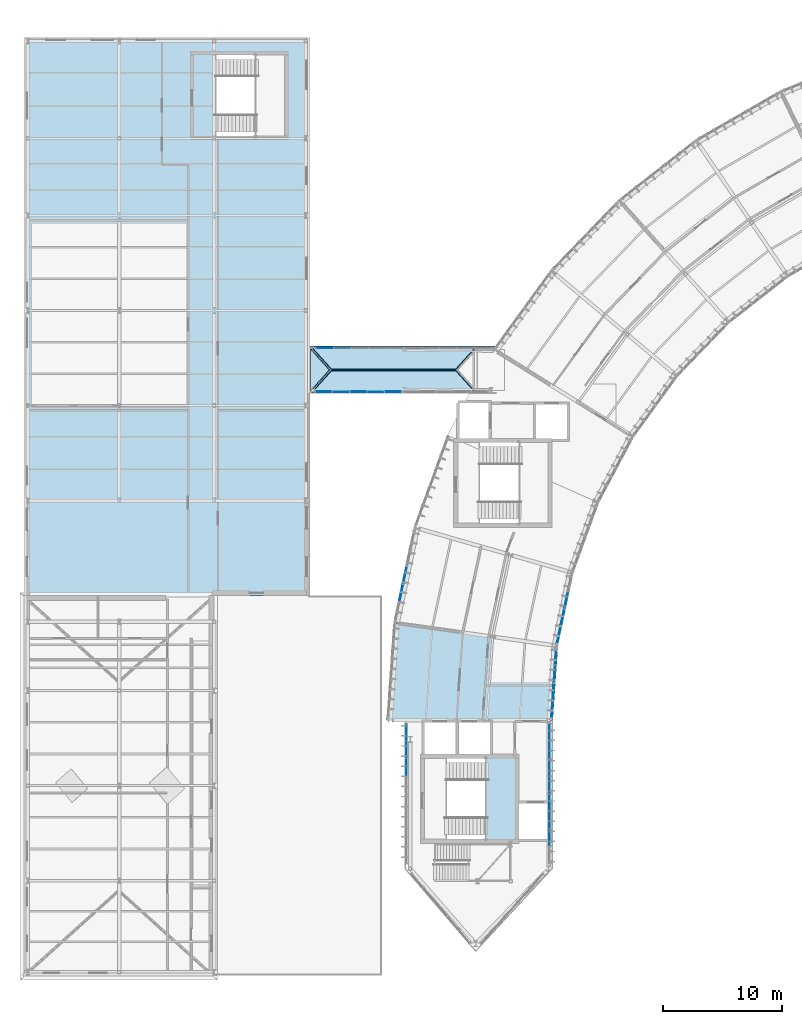
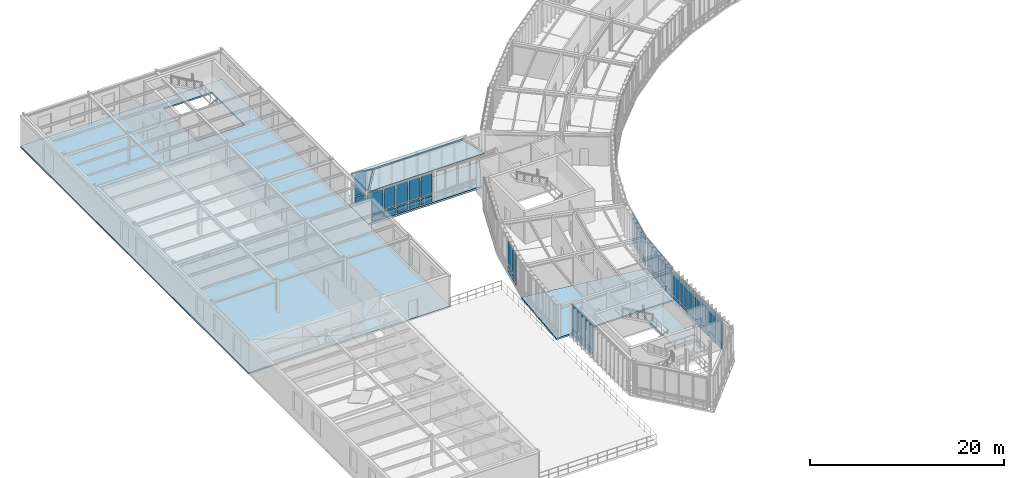
# One storey, part 24 of 52: 51 plates, 7 slabs, 8 elements without a shape of their own.
"""IFC4 building model written with IfcOpenShell, lengths in metres."""

import ifcopenshell
import ifcopenshell.guid

model = None  # the IFC model being written
_history = None  # IfcOwnerHistory: only IFC2X3 demands one
_inside = {}  # id of a spatial element -> (the spatial element, [elements in it])
_under = {}  # id of a project, library or spatial element -> (it, [spatial elements below it])
_declared = {}  # id of a project -> (the project, [libraries it declares])
_typed = {}  # id of a type object -> (the type object, [elements of that type])
_made_of = {}  # id of a material, layer set ... -> (it, [elements and type objects made of it])


def new_model(schema):
    """Start an empty IFC model of exactly this schema.

    Asked for "IFC4X3", IfcOpenShell would pick the latest addendum, in which some entities
    have other attributes; the version numbers below select the first issue.
    IFC2X3 requires an IfcOwnerHistory on every rooted entity: one is made here for all.
    """
    global model, _history
    if schema == "IFC4X3":
        model = ifcopenshell.file(schema_version=(4, 3, 0, 0))
    else:
        model = ifcopenshell.file(schema=schema)
    _inside.clear()
    _under.clear()
    _declared.clear()
    _typed.clear()
    _made_of.clear()
    _history = None
    if model.schema == "IFC2X3":
        org = make("IfcOrganization", Name="unknown")
        user = make(
            "IfcPersonAndOrganization",
            ThePerson=make("IfcPerson", FamilyName="unknown"),
            TheOrganization=org,
        )
        app = make(
            "IfcApplication",
            ApplicationDeveloper=org,
            Version="unknown",
            ApplicationFullName="unknown",
            ApplicationIdentifier="unknown",
        )
        _history = make(
            "IfcOwnerHistory",
            OwningUser=user,
            OwningApplication=app,
            ChangeAction="ADDED",
            CreationDate=0,
        )
    return model


def make(cls, **values):
    """One entity of the class cls with the attributes given. An attribute that is None is left unset."""
    return model.create_entity(
        cls, **{name: value for name, value in values.items() if value is not None}
    )


def rooted(cls, **values):
    """An entity with a GlobalId (a new one), such as an element, a storey or a relation."""
    return make(cls, GlobalId=ifcopenshell.guid.new(), OwnerHistory=_history, **values)


def si_unit(unit_type, name, prefix=None):
    """IfcSIUnit, for example si_unit("LENGTHUNIT", "METRE", prefix="MILLI")."""
    return make("IfcSIUnit", UnitType=unit_type, Prefix=prefix, Name=name)


def assignment(units):
    """IfcUnitAssignment: the units of a project."""
    return None if units is None else make("IfcUnitAssignment", Units=units)


def point(xyz):
    """IfcCartesianPoint."""
    return None if xyz is None else make("IfcCartesianPoint", Coordinates=xyz)


def direction(xyz):
    """IfcDirection."""
    return None if xyz is None else make("IfcDirection", DirectionRatios=xyz)


def frame(location, z_axis=None, x_axis=None):
    """IfcAxis2Placement3D, a coordinate frame: its origin and axes. An axis left out is left unset."""
    return make(
        "IfcAxis2Placement3D",
        Location=point(location),
        Axis=direction(z_axis),
        RefDirection=direction(x_axis),
    )


def frame_2d(location, x_axis=None):
    """IfcAxis2Placement2D, a coordinate frame in the plane: its origin and x axis."""
    return make(
        "IfcAxis2Placement2D", Location=point(location), RefDirection=direction(x_axis)
    )


def origin():
    """The frame at (0, 0, 0) with its axes left unset."""
    return frame((0.0, 0.0, 0.0))


def origin_2d():
    """The frame at (0, 0) in the plane with its x axis left unset."""
    return frame_2d((0.0, 0.0))


def place(relative_to, where):
    """IfcLocalPlacement: puts the frame where relative to a parent placement (None: the world)."""
    return make(
        "IfcLocalPlacement", PlacementRelTo=relative_to, RelativePlacement=where
    )


def context(
    kind, dimensions, precision=None, world=None, true_north=None, identifier=None
):
    """IfcGeometricRepresentationContext, for example the 3D "Model" context."""
    return make(
        "IfcGeometricRepresentationContext",
        ContextIdentifier=identifier,
        ContextType=kind,
        CoordinateSpaceDimension=dimensions,
        Precision=precision,
        WorldCoordinateSystem=world,
        TrueNorth=true_north,
    )


def subcontext(parent, identifier, kind, view, scale=None):
    """IfcGeometricRepresentationSubContext, for example "Body" below "Model"."""
    return make(
        "IfcGeometricRepresentationSubContext",
        ContextIdentifier=identifier,
        ContextType=kind,
        ParentContext=parent,
        TargetScale=scale,
        TargetView=view,
    )


def project(units=None, contexts=None):
    """IfcProject with its units and contexts."""
    return rooted(
        "IfcProject",
        Name="project",
        RepresentationContexts=contexts,
        UnitsInContext=assignment(units),
    )


def spatial(cls, under=None, at=None, **own):
    """A site, building, storey or space (cls), placed at a placement, below another one or the project."""
    s = rooted(cls, ObjectPlacement=at, **own)
    if under is not None:
        _under.setdefault(under.id(), (under, []))[1].append(s)
    return s


def polyline(points):
    """IfcPolyline through the points."""
    return make("IfcPolyline", Points=[point(p) for p in points])


def profile(cls, at=None, kind="AREA", **sizes):
    """A parametric profile (cls). Its sizes go by their IFC names, for example OverallWidth=200.0."""
    return make(cls, ProfileType=kind, Position=at, **sizes)


def rectangle(**sizes):
    """IfcRectangleProfileDef."""
    return profile("IfcRectangleProfileDef", **sizes)


def outline(outer, holes=None, kind="AREA"):
    """IfcArbitraryClosedProfileDef: a profile drawn as a closed curve; with holes, ...WithVoids."""
    if holes is None:
        return make("IfcArbitraryClosedProfileDef", ProfileType=kind, OuterCurve=outer)
    return make(
        "IfcArbitraryProfileDefWithVoids",
        ProfileType=kind,
        OuterCurve=outer,
        InnerCurves=holes,
    )


def extrude(swept, where, along, depth):
    """IfcExtrudedAreaSolid: the profile swept, set in the frame where, extruded along a direction by depth."""
    return make(
        "IfcExtrudedAreaSolid",
        SweptArea=swept,
        Position=where,
        ExtrudedDirection=direction(along),
        Depth=depth,
    )


def shape(context_of_items, identifier, shape_type, items):
    """IfcShapeRepresentation: the items that make up one representation, for example the "Body"."""
    return make(
        "IfcShapeRepresentation",
        ContextOfItems=context_of_items,
        RepresentationIdentifier=identifier,
        RepresentationType=shape_type,
        Items=items,
    )


def material(Name=None, Category=None):
    """IfcMaterial."""
    return make("IfcMaterial", Name=Name, Category=Category)


def layer(
    of_material, thickness, ventilated=None, Name=None, Category=None, Priority=None
):
    """IfcMaterialLayer: one layer of a wall or slab, of a material (None: an air gap)."""
    return make(
        "IfcMaterialLayer",
        Material=of_material,
        LayerThickness=thickness,
        IsVentilated=ventilated,
        Name=Name,
        Category=Category,
        Priority=Priority,
    )


def layer_set(layers, Name=None):
    """IfcMaterialLayerSet."""
    return make("IfcMaterialLayerSet", MaterialLayers=layers, LayerSetName=Name)


def made_of(thing, what):
    """Note that an element or type object is made of a material, layer set ...; save() writes the relation."""
    if what is not None:
        _made_of.setdefault(what.id(), (what, []))[1].append(thing)
    return thing


def type_object(cls, material=None, **own):
    """A type object (cls), such as IfcWallType, which elements share."""
    return made_of(rooted(cls, **own), material)


def element(
    cls,
    number,
    at=None,
    inside=None,
    cuts=None,
    type_object=None,
    material=None,
    context=None,
    identifier="Body",
    shape_type=None,
    held_by="IfcProductDefinitionShape",
    body=None,
    shapes=None,
    **own,
):
    """One element of the class cls, such as IfcWall. Its Tag is "e" and its number.

    at: its placement. inside: the storey or other place that contains it. cuts: it is an
    opening in that element (IfcRelVoidsElement). A single representation is given by context,
    identifier, shape_type and body (its items); several are given by shapes. held_by: the class
    of the entity that holds the representations. save() writes the other relations.
    """
    e = rooted(cls, Tag="e%d" % number, ObjectPlacement=at, **own)
    if body is not None:
        shapes = [shape(context, identifier, shape_type, body)]
    if shapes is not None:
        e.Representation = make(held_by, Representations=shapes)
    if inside is not None:
        _inside.setdefault(inside.id(), (inside, []))[1].append(e)
    if cuts is not None:
        rooted(
            "IfcRelVoidsElement", RelatingBuildingElement=cuts, RelatedOpeningElement=e
        )
    if type_object is not None:
        _typed.setdefault(type_object.id(), (type_object, []))[1].append(e)
    return made_of(e, material)


def aggregate(whole, parts):
    """IfcRelAggregates: a whole, such as a stair, and the parts it consists of."""
    return rooted("IfcRelAggregates", RelatingObject=whole, RelatedObjects=parts)


def save(model, path):
    """Write the relations noted so far, then the file.

    IfcRelAggregates (storeys below a building ...), IfcRelContainedInSpatialStructure (elements
    in a storey), IfcRelDefinesByType, IfcRelAssociatesMaterial and IfcRelDeclares: one each for
    every whole, place, type object, material and project.
    """
    for whole, parts in _under.values():
        aggregate(whole, parts)
    for where, things in _inside.values():
        rooted(
            "IfcRelContainedInSpatialStructure",
            RelatedElements=things,
            RelatingStructure=where,
        )
    for kind, things in _typed.values():
        rooted("IfcRelDefinesByType", RelatedObjects=things, RelatingType=kind)
    for what, things in _made_of.values():
        rooted("IfcRelAssociatesMaterial", RelatedObjects=things, RelatingMaterial=what)
    for by, libraries in _declared.values():
        rooted("IfcRelDeclares", RelatingContext=by, RelatedDefinitions=libraries)
    model.write(path)


model = new_model("IFC4")

# Units and contexts
model_context = context("Model", 3, precision=1e-05, world=origin(), true_north=direction((0.0, 1.0)))
body_context = subcontext(model_context, "Body", "Model", "MODEL_VIEW")
ifc_project = project(units=[si_unit("LENGTHUNIT", "METRE"), si_unit("AREAUNIT", "SQUARE_METRE"), si_unit("VOLUMEUNIT", "CUBIC_METRE"), si_unit("PLANEANGLEUNIT", "RADIAN"), si_unit("MASSUNIT", "GRAM", prefix="KILO"), si_unit("THERMODYNAMICTEMPERATUREUNIT", "KELVIN"), si_unit("POWERUNIT", "WATT")], contexts=[model_context])

# Site, building, storey
site_placement = place(None, origin())
site = spatial("IfcSite", under=ifc_project, at=site_placement, CompositionType="ELEMENT")
building_placement = place(site_placement, origin())
building = spatial("IfcBuilding", under=site, at=building_placement, Name="Solvatero Civic Police Headquarters", CompositionType="ELEMENT")
storey_placement = place(building_placement, frame((0.0, 0.0, 13.5)))
storey = spatial("IfcBuildingStorey", under=building, at=storey_placement, Name="L03", CompositionType="ELEMENT", Elevation=13.5)

# Curtain wall, plate
ifc_material_1 = material(Name="Anodized Bronze Aluminium", Category="aluminium")
ifc_layer_1 = layer(ifc_material_1, 0.179931640625)
ifc_layer_set_1 = layer_set([ifc_layer_1], Name="Anodized Bronze Aluminium")
curtain_wall_type_1 = type_object("IfcCurtainWallType", Name="CW-ARC-OUT", PredefinedType="USERDEFINED", material=ifc_layer_set_1)
curtain_wall_1_placement = place(storey_placement, origin())
curtain_wall_1 = element("IfcCurtainWall", 1, at=curtain_wall_1_placement, inside=storey, type_object=curtain_wall_type_1, Name="Curtain Wall CW-R2-L03-ARC-OUT-B11", ObjectType="UNITISED", PredefinedType="USERDEFINED")
ifc_material_2 = material(Name="Triple Low-E Laminated Glass", Category="glass")
ifc_layer_2 = layer(ifc_material_2, 0.0380859375)
ifc_layer_set_2 = layer_set([ifc_layer_2], Name="Triple Low-E Laminated Glass")
plate_type_1 = type_object("IfcPlateType", Name="CWP-GLZ-38", PredefinedType="CURTAIN_PANEL", material=ifc_layer_set_2)
plate_1_placement = place(storey_placement, frame((36.547119140625, 38.2119140625, 0.91015625), z_axis=(0.0, 0.0, 1.0), x_axis=(-0.207928762682, -0.978143971841, 0.0)))
plate_1 = element("IfcPlate", 2, at=plate_1_placement, type_object=plate_type_1, Name="CW-R2-L03-ARC-OUT-B11 Vision Glazing 3", PredefinedType="CURTAIN_PANEL", context=body_context, shape_type="SweptSolid", body=[
    extrude(rectangle(XDim=1.360595703125, YDim=0.0380859375, at=origin_2d()), origin(), (0.0, 0.0, 1.0), 3.030029296875),
])

# Curtain wall, plates
ifc_layer_3 = layer(ifc_material_1, 0.179931640625)
ifc_layer_set_3 = layer_set([ifc_layer_3], Name="Anodized Bronze Aluminium")
curtain_wall_type_2 = type_object("IfcCurtainWallType", Name="CW-ARC-IN", PredefinedType="USERDEFINED", material=ifc_layer_set_3)
curtain_wall_2_placement = place(storey_placement, origin())
curtain_wall_2 = element("IfcCurtainWall", 3, at=curtain_wall_2_placement, inside=storey, type_object=curtain_wall_type_2, Name="Curtain Wall CW-R2-L03-ARC-IN-B11", ObjectType="UNITISED", PredefinedType="USERDEFINED")
plate_2_placement = place(storey_placement, frame((50.128662109375, 36.08837890625, 0.91015625), z_axis=(0.0, 0.0, 1.0), x_axis=(-0.207911690818, -0.978147600734, 0.0)))
plate_2 = element("IfcPlate", 4, at=plate_2_placement, type_object=plate_type_1, Name="CW-R2-L03-ARC-IN-B11 Vision Glazing 2", PredefinedType="CURTAIN_PANEL", context=body_context, shape_type="SweptSolid", body=[
    extrude(rectangle(XDim=1.3134765625, YDim=0.0380859375, at=origin_2d()), origin(), (0.0, 0.0, 1.0), 3.030029296875),
])
plate_3_placement = place(storey_placement, frame((49.5078125, 33.166748046875, 0.91015625), z_axis=(0.0, 0.0, 1.0), x_axis=(-0.207911690818, -0.978147600734, 0.0)))
plate_3 = element("IfcPlate", 5, at=plate_3_placement, type_object=plate_type_1, Name="CW-R2-L03-ARC-IN-B11 Vision Glazing 4", PredefinedType="CURTAIN_PANEL", context=body_context, shape_type="SweptSolid", body=[
    extrude(rectangle(XDim=1.3134765625, YDim=0.0380859375, at=origin_2d()), origin(), (0.0, 0.0, 1.0), 3.030029296875),
])

curtain_wall_3_placement = place(storey_placement, origin())
curtain_wall_3 = element("IfcCurtainWall", 6, at=curtain_wall_3_placement, inside=storey, type_object=curtain_wall_type_2, Name="Curtain Wall CW-R2-L03-ARC-IN-B12", ObjectType="UNITISED", PredefinedType="USERDEFINED")
plate_4_placement = place(storey_placement, frame((49.151611328125, 29.884765625, 0.91015625), z_axis=(0.0, 0.0, 1.0), x_axis=(-0.069756473744, -0.99756405026, 0.0)))
plate_4 = element("IfcPlate", 7, at=plate_4_placement, type_object=plate_type_1, Name="CW-R2-L03-ARC-IN-B12 Vision Glazing 2", PredefinedType="CURTAIN_PANEL", context=body_context, shape_type="SweptSolid", body=[
    extrude(rectangle(XDim=1.3134765625, YDim=0.0380859375, at=origin_2d()), origin(), (0.0, 0.0, 1.0), 3.030029296875),
])
plate_5_placement = place(storey_placement, frame((48.943359375, 26.905029296875, 0.91015625), z_axis=(0.0, 0.0, 1.0), x_axis=(-0.069756473744, -0.99756405026, 0.0)))
plate_5 = element("IfcPlate", 8, at=plate_5_placement, type_object=plate_type_1, Name="CW-R2-L03-ARC-IN-B12 Vision Glazing 4", PredefinedType="CURTAIN_PANEL", context=body_context, shape_type="SweptSolid", body=[
    extrude(rectangle(XDim=1.3134765625, YDim=0.0380859375, at=origin_2d()), origin(), (0.0, 0.0, 1.0), 3.030029296875),
])

ifc_layer_4 = layer(ifc_material_1, 0.179931640625)
ifc_layer_set_4 = layer_set([ifc_layer_4], Name="Anodized Bronze Aluminium")
curtain_wall_type_3 = type_object("IfcCurtainWallType", Name="CW-PROW-GLZ", PredefinedType="USERDEFINED", material=ifc_layer_set_4)
curtain_wall_4_placement = place(storey_placement, origin())
curtain_wall_4 = element("IfcCurtainWall", 9, at=curtain_wall_4_placement, inside=storey, type_object=curtain_wall_type_3, Name="Curtain Wall CW-R2-L03-PROW-W", ObjectType="UNITISED", PredefinedType="USERDEFINED")
plate_6_placement = place(storey_placement, frame((36.679931640625, 25.00048828125, 0.91015625), z_axis=(0.0, 0.0, 1.0), x_axis=(0.0, -1.0, 0.0)))
plate_6 = element("IfcPlate", 10, at=plate_6_placement, type_object=plate_type_1, Name="CW-R2-L03-PROW-W Vision Glazing 1", PredefinedType="CURTAIN_PANEL", context=body_context, shape_type="SweptSolid", body=[
    extrude(rectangle(XDim=1.298583984375, YDim=0.0380859375, at=origin_2d()), origin(), (0.0, 0.0, 1.0), 3.030029296875),
])
plate_7_placement = place(storey_placement, frame((36.679931640625, 22.043212890625, 0.91015625), z_axis=(0.0, 0.0, 1.0), x_axis=(0.0, -1.0, 0.0)))
plate_7 = element("IfcPlate", 11, at=plate_7_placement, type_object=plate_type_1, Name="CW-R2-L03-PROW-W Vision Glazing 3", PredefinedType="CURTAIN_PANEL", context=body_context, shape_type="SweptSolid", body=[
    extrude(rectangle(XDim=1.298828125, YDim=0.0380859375, at=origin_2d()), origin(), (0.0, 0.0, 1.0), 3.030029296875),
])

curtain_wall_5_placement = place(storey_placement, origin())
curtain_wall_5 = element("IfcCurtainWall", 12, at=curtain_wall_5_placement, inside=storey, type_object=curtain_wall_type_3, Name="Curtain Wall CW-R2-L03-PROW-E", ObjectType="UNITISED", PredefinedType="USERDEFINED")
plate_8_placement = place(storey_placement, frame((48.719970703125, 16.128173828125, 0.91015625), z_axis=(0.0, 0.0, 1.0), x_axis=(0.0, 1.0, 0.0)))
plate_8 = element("IfcPlate", 13, at=plate_8_placement, type_object=plate_type_1, Name="CW-R2-L03-PROW-E Vision Glazing 2", PredefinedType="CURTAIN_PANEL", context=body_context, shape_type="SweptSolid", body=[
    extrude(rectangle(XDim=1.298583984375, YDim=0.0380859375, at=origin_2d()), origin(), (0.0, 0.0, 1.0), 3.030029296875),
])
plate_9_placement = place(storey_placement, frame((48.719970703125, 19.085693359375, 0.91015625), z_axis=(0.0, 0.0, 1.0), x_axis=(0.0, 1.0, 0.0)))
plate_9 = element("IfcPlate", 14, at=plate_9_placement, type_object=plate_type_1, Name="CW-R2-L03-PROW-E Vision Glazing 4", PredefinedType="CURTAIN_PANEL", context=body_context, shape_type="SweptSolid", body=[
    extrude(rectangle(XDim=1.298828125, YDim=0.0380859375, at=origin_2d()), origin(), (0.0, 0.0, 1.0), 3.030029296875),
])
plate_10_placement = place(storey_placement, frame((48.719970703125, 22.043212890625, 0.91015625), z_axis=(0.0, 0.0, 1.0), x_axis=(0.0, 1.0, 0.0)))
plate_10 = element("IfcPlate", 15, at=plate_10_placement, type_object=plate_type_1, Name="CW-R2-L03-PROW-E Vision Glazing 6", PredefinedType="CURTAIN_PANEL", context=body_context, shape_type="SweptSolid", body=[
    extrude(rectangle(XDim=1.298828125, YDim=0.0380859375, at=origin_2d()), origin(), (0.0, 0.0, 1.0), 3.030029296875),
])
plate_11_placement = place(storey_placement, frame((48.719970703125, 25.00048828125, 0.91015625), z_axis=(0.0, 0.0, 1.0), x_axis=(0.0, 1.0, 0.0)))
plate_11 = element("IfcPlate", 16, at=plate_11_placement, type_object=plate_type_1, Name="CW-R2-L03-PROW-E Vision Glazing 8", PredefinedType="CURTAIN_PANEL", context=body_context, shape_type="SweptSolid", body=[
    extrude(rectangle(XDim=1.298828125, YDim=0.0380859375, at=origin_2d()), origin(), (0.0, 0.0, 1.0), 3.030029296875),
])

ifc_layer_5 = layer(ifc_material_1, 0.179931640625)
ifc_layer_set_5 = layer_set([ifc_layer_5], Name="Anodized Bronze Aluminium")
curtain_wall_type_4 = type_object("IfcCurtainWallType", Name="CW-SB-GLZ", PredefinedType="USERDEFINED", material=ifc_layer_set_5)
curtain_wall_6_placement = place(storey_placement, origin())
curtain_wall_6 = element("IfcCurtainWall", 17, at=curtain_wall_6_placement, inside=storey, type_object=curtain_wall_type_4, Name="Curtain Wall CW-R2-L03-SB1-S", ObjectType="UNITISED", PredefinedType="USERDEFINED")
plate_12_placement = place(storey_placement, frame((31.1640625, 53.64990234375, 0.91015625), z_axis=(0.0, 0.0, 1.0), x_axis=(1.0, 0.0, 0.0)))
plate_12 = element("IfcPlate", 18, at=plate_12_placement, type_object=plate_type_1, Name="CW-R2-L03-SB1-S Vision Glazing 2", PredefinedType="CURTAIN_PANEL", context=body_context, shape_type="SweptSolid", body=[
    extrude(rectangle(XDim=1.2783203125, YDim=0.0380859375, at=origin_2d()), origin(), (0.0, 0.0, 1.0), 2.679931640625),
])
plate_13_placement = place(storey_placement, frame((34.080810546875, 53.64990234375, 0.91015625), z_axis=(0.0, 0.0, 1.0), x_axis=(1.0, 0.0, 0.0)))
plate_13 = element("IfcPlate", 19, at=plate_13_placement, type_object=plate_type_1, Name="CW-R2-L03-SB1-S Vision Glazing 4", PredefinedType="CURTAIN_PANEL", context=body_context, shape_type="SweptSolid", body=[
    extrude(rectangle(XDim=1.2783203125, YDim=0.0380859375, at=origin_2d()), origin(), (0.0, 0.0, 1.0), 2.679931640625),
])

# Curtain wall, plate
curtain_wall_7_placement = place(storey_placement, origin())
curtain_wall_7 = element("IfcCurtainWall", 20, at=curtain_wall_7_placement, inside=storey, type_object=curtain_wall_type_4, Name="Curtain Wall CW-R2-L03-SB1-N", ObjectType="UNITISED", PredefinedType="USERDEFINED")
plate_14_placement = place(storey_placement, frame((29.784912109375, 57.35009765625, 0.91015625), z_axis=(0.0, 0.0, 1.0), x_axis=(1.0, 0.0, 0.0)))
plate_14 = element("IfcPlate", 21, at=plate_14_placement, type_object=plate_type_1, Name="CW-R2-L03-SB1-N Vision Glazing 1", PredefinedType="CURTAIN_PANEL", context=body_context, shape_type="SweptSolid", body=[
    extrude(rectangle(XDim=1.31005859375, YDim=0.0380859375, at=origin_2d()), origin(), (0.0, 0.0, 1.0), 2.679931640625),
])

# Plate
ifc_material_3 = material(Name="Acoustic Ballistic Laminated Glass", Category="glass")
ifc_layer_6 = layer(ifc_material_3, 0.0439453125)
ifc_layer_set_6 = layer_set([ifc_layer_6], Name="Acoustic Ballistic Laminated Glass")
plate_type_2 = type_object("IfcPlateType", Name="CWP-GLZ-44", PredefinedType="CURTAIN_PANEL", material=ifc_layer_set_6)
plate_15_placement = place(storey_placement, frame((36.226806640625, 36.705078125, 0.91015625), z_axis=(0.0, 0.0, 1.0), x_axis=(-0.207928762682, -0.978143971841, 0.0)))
plate_15 = element("IfcPlate", 22, at=plate_15_placement, type_object=plate_type_2, Name="CW-R2-L03-ARC-OUT-B11 Vision Glazing 4", PredefinedType="CURTAIN_PANEL", context=body_context, shape_type="SweptSolid", body=[
    extrude(rectangle(XDim=1.360595703125, YDim=0.0439453125, at=origin_2d()), origin(), (0.0, 0.0, 1.0), 3.030029296875),
])

plate_16_placement = place(storey_placement, frame((49.818115234375, 34.627685546875, 0.91015625), z_axis=(0.0, 0.0, 1.0), x_axis=(-0.207911690818, -0.978147600734, 0.0)))
plate_16 = element("IfcPlate", 23, at=plate_16_placement, type_object=plate_type_2, Name="CW-R2-L03-ARC-IN-B11 Vision Glazing 3", PredefinedType="CURTAIN_PANEL", context=body_context, shape_type="SweptSolid", body=[
    extrude(rectangle(XDim=1.3134765625, YDim=0.0439453125, at=origin_2d()), origin(), (0.0, 0.0, 1.0), 3.030029296875),
])

plate_17_placement = place(storey_placement, frame((49.255859375, 31.37451171875, 0.91015625), z_axis=(0.0, 0.0, 1.0), x_axis=(-0.069756473744, -0.99756405026, 0.0)))
plate_17 = element("IfcPlate", 24, at=plate_17_placement, type_object=plate_type_2, Name="CW-R2-L03-ARC-IN-B12 Vision Glazing 1", PredefinedType="CURTAIN_PANEL", context=body_context, shape_type="SweptSolid", body=[
    extrude(rectangle(XDim=1.3134765625, YDim=0.0439453125, at=origin_2d()), origin(), (0.0, 0.0, 1.0), 3.030029296875),
])

plate_18_placement = place(storey_placement, frame((49.047607421875, 28.394775390625, 0.91015625), z_axis=(0.0, 0.0, 1.0), x_axis=(-0.069756473744, -0.99756405026, 0.0)))
plate_18 = element("IfcPlate", 25, at=plate_18_placement, type_object=plate_type_2, Name="CW-R2-L03-ARC-IN-B12 Vision Glazing 3", PredefinedType="CURTAIN_PANEL", context=body_context, shape_type="SweptSolid", body=[
    extrude(rectangle(XDim=1.3134765625, YDim=0.0439453125, at=origin_2d()), origin(), (0.0, 0.0, 1.0), 3.030029296875),
])

plate_19_placement = place(storey_placement, frame((36.679931640625, 23.52197265625, 0.91015625), z_axis=(0.0, 0.0, 1.0), x_axis=(0.0, -1.0, 0.0)))
plate_19 = element("IfcPlate", 26, at=plate_19_placement, type_object=plate_type_2, Name="CW-R2-L03-PROW-W Vision Glazing 2", PredefinedType="CURTAIN_PANEL", context=body_context, shape_type="SweptSolid", body=[
    extrude(rectangle(XDim=1.298583984375, YDim=0.0439453125, at=origin_2d()), origin(), (0.0, 0.0, 1.0), 3.030029296875),
])

plate_20_placement = place(storey_placement, frame((48.719970703125, 17.60693359375, 0.91015625), z_axis=(0.0, 0.0, 1.0), x_axis=(0.0, 1.0, 0.0)))
plate_20 = element("IfcPlate", 27, at=plate_20_placement, type_object=plate_type_2, Name="CW-R2-L03-PROW-E Vision Glazing 3", PredefinedType="CURTAIN_PANEL", context=body_context, shape_type="SweptSolid", body=[
    extrude(rectangle(XDim=1.298828125, YDim=0.0439453125, at=origin_2d()), origin(), (0.0, 0.0, 1.0), 3.030029296875),
])

plate_21_placement = place(storey_placement, frame((48.719970703125, 20.564453125, 0.91015625), z_axis=(0.0, 0.0, 1.0), x_axis=(0.0, 1.0, 0.0)))
plate_21 = element("IfcPlate", 28, at=plate_21_placement, type_object=plate_type_2, Name="CW-R2-L03-PROW-E Vision Glazing 5", PredefinedType="CURTAIN_PANEL", context=body_context, shape_type="SweptSolid", body=[
    extrude(rectangle(XDim=1.298828125, YDim=0.0439453125, at=origin_2d()), origin(), (0.0, 0.0, 1.0), 3.030029296875),
])

plate_22_placement = place(storey_placement, frame((48.719970703125, 23.52197265625, 0.91015625), z_axis=(0.0, 0.0, 1.0), x_axis=(0.0, 1.0, 0.0)))
plate_22 = element("IfcPlate", 29, at=plate_22_placement, type_object=plate_type_2, Name="CW-R2-L03-PROW-E Vision Glazing 7", PredefinedType="CURTAIN_PANEL", context=body_context, shape_type="SweptSolid", body=[
    extrude(rectangle(XDim=1.298828125, YDim=0.0439453125, at=origin_2d()), origin(), (0.0, 0.0, 1.0), 3.030029296875),
])

plate_23_placement = place(storey_placement, frame((29.705810546875, 53.64990234375, 0.91015625), z_axis=(0.0, 0.0, 1.0), x_axis=(1.0, 0.0, 0.0)))
plate_23 = element("IfcPlate", 30, at=plate_23_placement, type_object=plate_type_2, Name="CW-R2-L03-SB1-S Vision Glazing 1", PredefinedType="CURTAIN_PANEL", context=body_context, shape_type="SweptSolid", body=[
    extrude(rectangle(XDim=1.2783203125, YDim=0.0439453125, at=origin_2d()), origin(), (0.0, 0.0, 1.0), 2.679931640625),
])

plate_24_placement = place(storey_placement, frame((32.622314453125, 53.64990234375, 0.91015625), z_axis=(0.0, 0.0, 1.0), x_axis=(1.0, 0.0, 0.0)))
plate_24 = element("IfcPlate", 31, at=plate_24_placement, type_object=plate_type_2, Name="CW-R2-L03-SB1-S Vision Glazing 3", PredefinedType="CURTAIN_PANEL", context=body_context, shape_type="SweptSolid", body=[
    extrude(rectangle(XDim=1.2783203125, YDim=0.0439453125, at=origin_2d()), origin(), (0.0, 0.0, 1.0), 2.679931640625),
])

plate_25_placement = place(storey_placement, frame((35.5390625, 53.64990234375, 0.91015625), z_axis=(0.0, 0.0, 1.0), x_axis=(1.0, 0.0, 0.0)))
plate_25 = element("IfcPlate", 32, at=plate_25_placement, type_object=plate_type_2, Name="CW-R2-L03-SB1-S Vision Glazing 5", PredefinedType="CURTAIN_PANEL", context=body_context, shape_type="SweptSolid", body=[
    extrude(rectangle(XDim=1.2783203125, YDim=0.0439453125, at=origin_2d()), origin(), (0.0, 0.0, 1.0), 2.679931640625),
])

ifc_material_4 = material(Name="Insulated Bronze Aluminium Spandrel", Category="aluminium")
ifc_layer_7 = layer(ifc_material_4, 0.06005859375)
ifc_layer_set_7 = layer_set([ifc_layer_7], Name="Insulated Bronze Aluminium Spandrel")
plate_type_3 = type_object("IfcPlateType", Name="CWP-SPN-60", PredefinedType="CURTAIN_PANEL", material=ifc_layer_set_7)
plate_26_placement = place(storey_placement, frame((36.547119140625, 38.2119140625, 0.06005859375), z_axis=(0.0, 0.0, 1.0), x_axis=(-0.207928762682, -0.978143971841, 0.0)))
plate_26 = element("IfcPlate", 33, at=plate_26_placement, type_object=plate_type_3, Name="CW-R2-L03-ARC-OUT-B11 Spandrel Panel 3", PredefinedType="CURTAIN_PANEL", context=body_context, shape_type="SweptSolid", body=[
    extrude(rectangle(XDim=1.360595703125, YDim=0.06005859375, at=origin_2d()), origin(), (0.0, 0.0, 1.0), 0.72998046875),
])

plate_27_placement = place(storey_placement, frame((50.128662109375, 36.08837890625, 0.06005859375), z_axis=(0.0, 0.0, 1.0), x_axis=(-0.207911690818, -0.978147600734, 0.0)))
plate_27 = element("IfcPlate", 34, at=plate_27_placement, type_object=plate_type_3, Name="CW-R2-L03-ARC-IN-B11 Spandrel Panel 2", PredefinedType="CURTAIN_PANEL", context=body_context, shape_type="SweptSolid", body=[
    extrude(rectangle(XDim=1.3134765625, YDim=0.06005859375, at=origin_2d()), origin(), (0.0, 0.0, 1.0), 0.72998046875),
])

plate_28_placement = place(storey_placement, frame((49.5078125, 33.166748046875, 0.06005859375), z_axis=(0.0, 0.0, 1.0), x_axis=(-0.207911690818, -0.978147600734, 0.0)))
plate_28 = element("IfcPlate", 35, at=plate_28_placement, type_object=plate_type_3, Name="CW-R2-L03-ARC-IN-B11 Spandrel Panel 4", PredefinedType="CURTAIN_PANEL", context=body_context, shape_type="SweptSolid", body=[
    extrude(rectangle(XDim=1.3134765625, YDim=0.06005859375, at=origin_2d()), origin(), (0.0, 0.0, 1.0), 0.72998046875),
])

plate_29_placement = place(storey_placement, frame((49.151611328125, 29.884765625, 0.06005859375), z_axis=(0.0, 0.0, 1.0), x_axis=(-0.069756473744, -0.99756405026, 0.0)))
plate_29 = element("IfcPlate", 36, at=plate_29_placement, type_object=plate_type_3, Name="CW-R2-L03-ARC-IN-B12 Spandrel Panel 2", PredefinedType="CURTAIN_PANEL", context=body_context, shape_type="SweptSolid", body=[
    extrude(rectangle(XDim=1.3134765625, YDim=0.06005859375, at=origin_2d()), origin(), (0.0, 0.0, 1.0), 0.72998046875),
])

plate_30_placement = place(storey_placement, frame((48.943359375, 26.905029296875, 0.06005859375), z_axis=(0.0, 0.0, 1.0), x_axis=(-0.069756473744, -0.99756405026, 0.0)))
plate_30 = element("IfcPlate", 37, at=plate_30_placement, type_object=plate_type_3, Name="CW-R2-L03-ARC-IN-B12 Spandrel Panel 4", PredefinedType="CURTAIN_PANEL", context=body_context, shape_type="SweptSolid", body=[
    extrude(rectangle(XDim=1.3134765625, YDim=0.06005859375, at=origin_2d()), origin(), (0.0, 0.0, 1.0), 0.72998046875),
])

plate_31_placement = place(storey_placement, frame((36.679931640625, 25.00048828125, 0.06005859375), z_axis=(0.0, 0.0, 1.0), x_axis=(0.0, -1.0, 0.0)))
plate_31 = element("IfcPlate", 38, at=plate_31_placement, type_object=plate_type_3, Name="CW-R2-L03-PROW-W Spandrel Panel 1", PredefinedType="CURTAIN_PANEL", context=body_context, shape_type="SweptSolid", body=[
    extrude(rectangle(XDim=1.298583984375, YDim=0.06005859375, at=origin_2d()), origin(), (0.0, 0.0, 1.0), 0.72998046875),
])

plate_32_placement = place(storey_placement, frame((36.679931640625, 22.043212890625, 0.06005859375), z_axis=(0.0, 0.0, 1.0), x_axis=(0.0, -1.0, 0.0)))
plate_32 = element("IfcPlate", 39, at=plate_32_placement, type_object=plate_type_3, Name="CW-R2-L03-PROW-W Spandrel Panel 3", PredefinedType="CURTAIN_PANEL", context=body_context, shape_type="SweptSolid", body=[
    extrude(rectangle(XDim=1.298828125, YDim=0.06005859375, at=origin_2d()), origin(), (0.0, 0.0, 1.0), 0.72998046875),
])

plate_33_placement = place(storey_placement, frame((48.719970703125, 16.128173828125, 0.06005859375), z_axis=(0.0, 0.0, 1.0), x_axis=(0.0, 1.0, 0.0)))
plate_33 = element("IfcPlate", 40, at=plate_33_placement, type_object=plate_type_3, Name="CW-R2-L03-PROW-E Spandrel Panel 2", PredefinedType="CURTAIN_PANEL", context=body_context, shape_type="SweptSolid", body=[
    extrude(rectangle(XDim=1.298583984375, YDim=0.06005859375, at=origin_2d()), origin(), (0.0, 0.0, 1.0), 0.72998046875),
])

plate_34_placement = place(storey_placement, frame((48.719970703125, 19.085693359375, 0.06005859375), z_axis=(0.0, 0.0, 1.0), x_axis=(0.0, 1.0, 0.0)))
plate_34 = element("IfcPlate", 41, at=plate_34_placement, type_object=plate_type_3, Name="CW-R2-L03-PROW-E Spandrel Panel 4", PredefinedType="CURTAIN_PANEL", context=body_context, shape_type="SweptSolid", body=[
    extrude(rectangle(XDim=1.298828125, YDim=0.06005859375, at=origin_2d()), origin(), (0.0, 0.0, 1.0), 0.72998046875),
])

plate_35_placement = place(storey_placement, frame((48.719970703125, 22.043212890625, 0.06005859375), z_axis=(0.0, 0.0, 1.0), x_axis=(0.0, 1.0, 0.0)))
plate_35 = element("IfcPlate", 42, at=plate_35_placement, type_object=plate_type_3, Name="CW-R2-L03-PROW-E Spandrel Panel 6", PredefinedType="CURTAIN_PANEL", context=body_context, shape_type="SweptSolid", body=[
    extrude(rectangle(XDim=1.298828125, YDim=0.06005859375, at=origin_2d()), origin(), (0.0, 0.0, 1.0), 0.72998046875),
])

plate_36_placement = place(storey_placement, frame((48.719970703125, 25.00048828125, 0.06005859375), z_axis=(0.0, 0.0, 1.0), x_axis=(0.0, 1.0, 0.0)))
plate_36 = element("IfcPlate", 43, at=plate_36_placement, type_object=plate_type_3, Name="CW-R2-L03-PROW-E Spandrel Panel 8", PredefinedType="CURTAIN_PANEL", context=body_context, shape_type="SweptSolid", body=[
    extrude(rectangle(XDim=1.298828125, YDim=0.06005859375, at=origin_2d()), origin(), (0.0, 0.0, 1.0), 0.72998046875),
])

plate_37_placement = place(storey_placement, frame((31.1640625, 53.64990234375, 0.06005859375), z_axis=(0.0, 0.0, 1.0), x_axis=(1.0, 0.0, 0.0)))
plate_37 = element("IfcPlate", 44, at=plate_37_placement, type_object=plate_type_3, Name="CW-R2-L03-SB1-S Spandrel Panel 2", PredefinedType="CURTAIN_PANEL", context=body_context, shape_type="SweptSolid", body=[
    extrude(rectangle(XDim=1.2783203125, YDim=0.06005859375, at=origin_2d()), origin(), (0.0, 0.0, 1.0), 0.72998046875),
])

plate_38_placement = place(storey_placement, frame((34.080810546875, 53.64990234375, 0.06005859375), z_axis=(0.0, 0.0, 1.0), x_axis=(1.0, 0.0, 0.0)))
plate_38 = element("IfcPlate", 45, at=plate_38_placement, type_object=plate_type_3, Name="CW-R2-L03-SB1-S Spandrel Panel 4", PredefinedType="CURTAIN_PANEL", context=body_context, shape_type="SweptSolid", body=[
    extrude(rectangle(XDim=1.2783203125, YDim=0.06005859375, at=origin_2d()), origin(), (0.0, 0.0, 1.0), 0.72998046875),
])

plate_39_placement = place(storey_placement, frame((29.784912109375, 57.35009765625, 0.06005859375), z_axis=(0.0, 0.0, 1.0), x_axis=(1.0, 0.0, 0.0)))
plate_39 = element("IfcPlate", 46, at=plate_39_placement, type_object=plate_type_3, Name="CW-R2-L03-SB1-N Spandrel Panel 1", PredefinedType="CURTAIN_PANEL", context=body_context, shape_type="SweptSolid", body=[
    extrude(rectangle(XDim=1.31005859375, YDim=0.06005859375, at=origin_2d()), origin(), (0.0, 0.0, 1.0), 0.72998046875),
])

ifc_material_5 = material(Name="Limestone Veneer Spandrel Panel", Category="masonry")
ifc_layer_8 = layer(ifc_material_5, 0.074951171875)
ifc_layer_set_8 = layer_set([ifc_layer_8], Name="Limestone Veneer Spandrel Panel")
plate_type_4 = type_object("IfcPlateType", Name="CWP-SPN-75", PredefinedType="CURTAIN_PANEL", material=ifc_layer_set_8)
plate_40_placement = place(storey_placement, frame((36.226806640625, 36.705078125, 0.06005859375), z_axis=(0.0, 0.0, 1.0), x_axis=(-0.207928762682, -0.978143971841, 0.0)))
plate_40 = element("IfcPlate", 47, at=plate_40_placement, type_object=plate_type_4, Name="CW-R2-L03-ARC-OUT-B11 Spandrel Panel 4", PredefinedType="CURTAIN_PANEL", context=body_context, shape_type="SweptSolid", body=[
    extrude(rectangle(XDim=1.360595703125, YDim=0.074951171875, at=origin_2d()), origin(), (0.0, 0.0, 1.0), 0.72998046875),
])

aggregate(curtain_wall_1, [plate_26, plate_1, plate_40, plate_15])

plate_41_placement = place(storey_placement, frame((49.818115234375, 34.627685546875, 0.06005859375), z_axis=(0.0, 0.0, 1.0), x_axis=(-0.207911690818, -0.978147600734, 0.0)))
plate_41 = element("IfcPlate", 48, at=plate_41_placement, type_object=plate_type_4, Name="CW-R2-L03-ARC-IN-B11 Spandrel Panel 3", PredefinedType="CURTAIN_PANEL", context=body_context, shape_type="SweptSolid", body=[
    extrude(rectangle(XDim=1.3134765625, YDim=0.074951171875, at=origin_2d()), origin(), (0.0, 0.0, 1.0), 0.72998046875),
])

aggregate(curtain_wall_2, [plate_27, plate_2, plate_41, plate_16, plate_28, plate_3])

plate_42_placement = place(storey_placement, frame((49.255859375, 31.37451171875, 0.06005859375), z_axis=(0.0, 0.0, 1.0), x_axis=(-0.069756473744, -0.99756405026, 0.0)))
plate_42 = element("IfcPlate", 49, at=plate_42_placement, type_object=plate_type_4, Name="CW-R2-L03-ARC-IN-B12 Spandrel Panel 1", PredefinedType="CURTAIN_PANEL", context=body_context, shape_type="SweptSolid", body=[
    extrude(rectangle(XDim=1.3134765625, YDim=0.074951171875, at=origin_2d()), origin(), (0.0, 0.0, 1.0), 0.72998046875),
])

plate_43_placement = place(storey_placement, frame((49.047607421875, 28.394775390625, 0.06005859375), z_axis=(0.0, 0.0, 1.0), x_axis=(-0.069756473744, -0.99756405026, 0.0)))
plate_43 = element("IfcPlate", 50, at=plate_43_placement, type_object=plate_type_4, Name="CW-R2-L03-ARC-IN-B12 Spandrel Panel 3", PredefinedType="CURTAIN_PANEL", context=body_context, shape_type="SweptSolid", body=[
    extrude(rectangle(XDim=1.3134765625, YDim=0.074951171875, at=origin_2d()), origin(), (0.0, 0.0, 1.0), 0.72998046875),
])

aggregate(curtain_wall_3, [plate_42, plate_17, plate_29, plate_4, plate_43, plate_18, plate_30, plate_5])

plate_44_placement = place(storey_placement, frame((36.679931640625, 23.52197265625, 0.06005859375), z_axis=(0.0, 0.0, 1.0), x_axis=(0.0, -1.0, 0.0)))
plate_44 = element("IfcPlate", 51, at=plate_44_placement, type_object=plate_type_4, Name="CW-R2-L03-PROW-W Spandrel Panel 2", PredefinedType="CURTAIN_PANEL", context=body_context, shape_type="SweptSolid", body=[
    extrude(rectangle(XDim=1.298583984375, YDim=0.074951171875, at=origin_2d()), origin(), (0.0, 0.0, 1.0), 0.72998046875),
])

aggregate(curtain_wall_4, [plate_31, plate_6, plate_44, plate_19, plate_32, plate_7])

plate_45_placement = place(storey_placement, frame((48.719970703125, 17.60693359375, 0.06005859375), z_axis=(0.0, 0.0, 1.0), x_axis=(0.0, 1.0, 0.0)))
plate_45 = element("IfcPlate", 52, at=plate_45_placement, type_object=plate_type_4, Name="CW-R2-L03-PROW-E Spandrel Panel 3", PredefinedType="CURTAIN_PANEL", context=body_context, shape_type="SweptSolid", body=[
    extrude(rectangle(XDim=1.298828125, YDim=0.074951171875, at=origin_2d()), origin(), (0.0, 0.0, 1.0), 0.72998046875),
])

plate_46_placement = place(storey_placement, frame((48.719970703125, 20.564453125, 0.06005859375), z_axis=(0.0, 0.0, 1.0), x_axis=(0.0, 1.0, 0.0)))
plate_46 = element("IfcPlate", 53, at=plate_46_placement, type_object=plate_type_4, Name="CW-R2-L03-PROW-E Spandrel Panel 5", PredefinedType="CURTAIN_PANEL", context=body_context, shape_type="SweptSolid", body=[
    extrude(rectangle(XDim=1.298828125, YDim=0.074951171875, at=origin_2d()), origin(), (0.0, 0.0, 1.0), 0.72998046875),
])

plate_47_placement = place(storey_placement, frame((48.719970703125, 23.52197265625, 0.06005859375), z_axis=(0.0, 0.0, 1.0), x_axis=(0.0, 1.0, 0.0)))
plate_47 = element("IfcPlate", 54, at=plate_47_placement, type_object=plate_type_4, Name="CW-R2-L03-PROW-E Spandrel Panel 7", PredefinedType="CURTAIN_PANEL", context=body_context, shape_type="SweptSolid", body=[
    extrude(rectangle(XDim=1.298828125, YDim=0.074951171875, at=origin_2d()), origin(), (0.0, 0.0, 1.0), 0.72998046875),
])

aggregate(curtain_wall_5, [plate_33, plate_8, plate_45, plate_20, plate_34, plate_9, plate_46, plate_21, plate_35, plate_10, plate_47, plate_22, plate_36, plate_11])

plate_48_placement = place(storey_placement, frame((29.705810546875, 53.64990234375, 0.06005859375), z_axis=(0.0, 0.0, 1.0), x_axis=(1.0, 0.0, 0.0)))
plate_48 = element("IfcPlate", 55, at=plate_48_placement, type_object=plate_type_4, Name="CW-R2-L03-SB1-S Spandrel Panel 1", PredefinedType="CURTAIN_PANEL", context=body_context, shape_type="SweptSolid", body=[
    extrude(rectangle(XDim=1.2783203125, YDim=0.074951171875, at=origin_2d()), origin(), (0.0, 0.0, 1.0), 0.72998046875),
])

plate_49_placement = place(storey_placement, frame((32.622314453125, 53.64990234375, 0.06005859375), z_axis=(0.0, 0.0, 1.0), x_axis=(1.0, 0.0, 0.0)))
plate_49 = element("IfcPlate", 56, at=plate_49_placement, type_object=plate_type_4, Name="CW-R2-L03-SB1-S Spandrel Panel 3", PredefinedType="CURTAIN_PANEL", context=body_context, shape_type="SweptSolid", body=[
    extrude(rectangle(XDim=1.2783203125, YDim=0.074951171875, at=origin_2d()), origin(), (0.0, 0.0, 1.0), 0.72998046875),
])

plate_50_placement = place(storey_placement, frame((35.5390625, 53.64990234375, 0.06005859375), z_axis=(0.0, 0.0, 1.0), x_axis=(1.0, 0.0, 0.0)))
plate_50 = element("IfcPlate", 57, at=plate_50_placement, type_object=plate_type_4, Name="CW-R2-L03-SB1-S Spandrel Panel 5", PredefinedType="CURTAIN_PANEL", context=body_context, shape_type="SweptSolid", body=[
    extrude(rectangle(XDim=1.2783203125, YDim=0.074951171875, at=origin_2d()), origin(), (0.0, 0.0, 1.0), 0.72998046875),
])

aggregate(curtain_wall_6, [plate_48, plate_23, plate_37, plate_12, plate_49, plate_24, plate_38, plate_13, plate_50, plate_25])

plate_51_placement = place(storey_placement, frame((31.27490234375, 57.35009765625, 0.06005859375), z_axis=(0.0, 0.0, 1.0), x_axis=(1.0, 0.0, 0.0)))
plate_51 = element("IfcPlate", 58, at=plate_51_placement, type_object=plate_type_4, Name="CW-R2-L03-SB1-N Spandrel Panel 2", PredefinedType="CURTAIN_PANEL", context=body_context, shape_type="SweptSolid", body=[
    extrude(rectangle(XDim=1.31005859375, YDim=0.074951171875, at=origin_2d()), origin(), (0.0, 0.0, 1.0), 0.72998046875),
])

aggregate(curtain_wall_7, [plate_39, plate_14, plate_51])

# Slabs
ifc_material_6 = material(Name="Concrete C40/50", Category="concrete")
ifc_layer_9 = layer(ifc_material_6, 0.25)
ifc_layer_set_9 = layer_set([ifc_layer_9], Name="Concrete C40/50")
slab_type_1 = type_object("IfcSlabType", Name="SLB-BRG-250", PredefinedType="FLOOR", material=ifc_layer_set_9)
slab_1_placement = place(storey_placement, frame((0.0, 0.0, -0.25)))
element("IfcSlab", 59, at=slab_1_placement, inside=storey, type_object=slab_type_1, Name="L03 Suspended floor slab SLB-L03-SB1", PredefinedType="FLOOR", context=body_context, shape_type="SweptSolid", body=[
    extrude(outline(polyline([(44.13330078125, 57.5), (43.96240234375, 57.2646484375), (41.9609375, 53.5), (28.501953125, 53.5), (28.501953125, 57.5), (44.13330078125, 57.5)])), origin(), (0.0, 0.0, 1.0), 0.25),
])
ifc_material_7 = material(Name="Concrete C35/45", Category="concrete")
ifc_layer_10 = layer(ifc_material_7, 0.199951171875)
ifc_layer_set_10 = layer_set([ifc_layer_10], Name="Concrete C35/45")
slab_type_2 = type_object("IfcSlabType", Name="SLB-COMP-200", PredefinedType="FLOOR", material=ifc_layer_set_10)
slab_2_placement = place(storey_placement, frame((0.0, 0.0, -0.199951171875)))
element("IfcSlab", 60, at=slab_2_placement, inside=storey, type_object=slab_type_2, Name="L03 Operations Arc Floor Slab Bay 12", PredefinedType="FLOOR", context=body_context, shape_type="SweptSolid", body=[
    extrude(outline(polyline([(35.57421875, 34.209228515625), (49.437744140625, 32.2607421875), (49.0, 26.001953125), (36.498046875, 26.001953125), (36.498046875, 26.0), (35.0, 26.0), (35.57421875, 34.209228515625)])), origin(), (0.0, 0.0, 1.0), 0.199951171875),
])
slab_3_placement = place(storey_placement, frame((0.0, 0.0, -0.199951171875)))
element("IfcSlab", 61, at=slab_3_placement, inside=storey, type_object=slab_type_2, Name="L03 Suspended floor slab SLB-L03-V6", PredefinedType="FLOOR", context=body_context, shape_type="SweptSolid", body=[
    extrude(outline(polyline([(4.5, 83.5), (28.5, 83.5), (28.5, 36.501953125), (4.5, 36.501953125), (4.5, 83.5)]), holes=[polyline([(26.39990234375, 82.0), (20.659912109375, 82.0), (20.659912109375, 75.199951171875), (26.39990234375, 75.199951171875), (26.39990234375, 82.0)])]), origin(), (0.0, 0.0, 1.0), 0.199951171875),
])

# Stair, slab
ifc_material_8 = material(Name="Precast concrete C40/50", Category="concrete")
stair_type = type_object("IfcStairType", Name="STR-C150-420", PredefinedType="HALF_TURN_STAIR", material=ifc_material_8)
stair_placement = place(storey_placement, origin())
stair = element("IfcStair", 62, at=stair_placement, inside=storey, type_object=stair_type, Name="Protected Exit Stair ST-C1 (L03 to L04)", PredefinedType="HALF_TURN_STAIR")
ifc_layer_11 = layer(ifc_material_8, 0.199951171875)
ifc_layer_set_11 = layer_set([ifc_layer_11], Name="Precast concrete C40/50")
slab_type_3 = type_object("IfcSlabType", Name="SLB-LND-200", PredefinedType="LANDING", material=ifc_layer_set_11)
slab_4_placement = place(storey_placement, frame((0.0, 0.0, 1.89990234375)))
slab_4 = element("IfcSlab", 63, at=slab_4_placement, type_object=slab_type_3, Name="ST-C1 L03 Half-Landing", PredefinedType="LANDING", context=body_context, shape_type="SweptSolid", body=[
    extrude(outline(polyline([(43.340087890625, 15.85009765625), (45.949951171875, 15.85009765625), (45.949951171875, 22.949951171875), (43.340087890625, 22.949951171875), (43.340087890625, 15.85009765625)])), origin(), (0.0, 0.0, 1.0), 0.2001953125),
])
aggregate(stair, [slab_4])

# Slabs
ifc_layer_12 = layer(ifc_material_7, 0.179931640625)
ifc_layer_set_12 = layer_set([ifc_layer_12], Name="Concrete C35/45")
slab_type_4 = type_object("IfcSlabType", Name="SLB-RF-COT-180", PredefinedType="ROOF", material=ifc_layer_set_12)
for number, where, z_axis, x_axis, name in (
    (64, (40.835693359375, 55.406005859375, 5.042724609375), (0.0, -0.521165293373, 0.853455761585), (0.60919257369, -0.676809472452, -0.41329571273), "SB1R Lombard Hipped Roof Slab S"),
    (65, (30.3642578125, 55.593994140625, 5.042724609375), (0.0, 0.521165293373, 0.853455761585), (-0.60919257369, 0.676809472452, -0.41329571273), "SB1R Lombard Hipped Roof Slab N"),
):
    element("IfcSlab", number, at=place(storey_placement, frame(where, z_axis=z_axis, x_axis=x_axis)), inside=storey, type_object=slab_type_4, Name=name, PredefinedType="ROOF", context=body_context, shape_type="SweptSolid", body=[
        extrude(outline(polyline([(0.0, 0.0), (2.6682667377325453, 0.0), (-5.691324812408784, -10.882179157426481), (-6.379120771026949, -8.30408216487589), (0.0, 0.0)])), origin(), (0.0, 0.0, -1.0), 0.179931640625),
    ])
slab_5_placement = place(storey_placement, frame((28.60009765625, 53.74951171875, 3.93994140625), z_axis=(-0.561429288902, 0.0, 0.827524714775), x_axis=(0.0, 1.0, 0.0)))
element("IfcSlab", 66, at=slab_5_placement, inside=storey, type_object=slab_type_4, Name="SB1R Lombard Hipped Roof Slab W", PredefinedType="ROOF", context=body_context, shape_type="SweptSolid", body=[
    extrude(outline(polyline([(0.0, 0.0), (3.5009765625, 0.0), (1.75048828125, -1.9037974636851256), (0.0, 0.0)])), origin(), (0.0, 0.0, -1.0), 0.179931640625),
])

save(model, "model.ifc")
